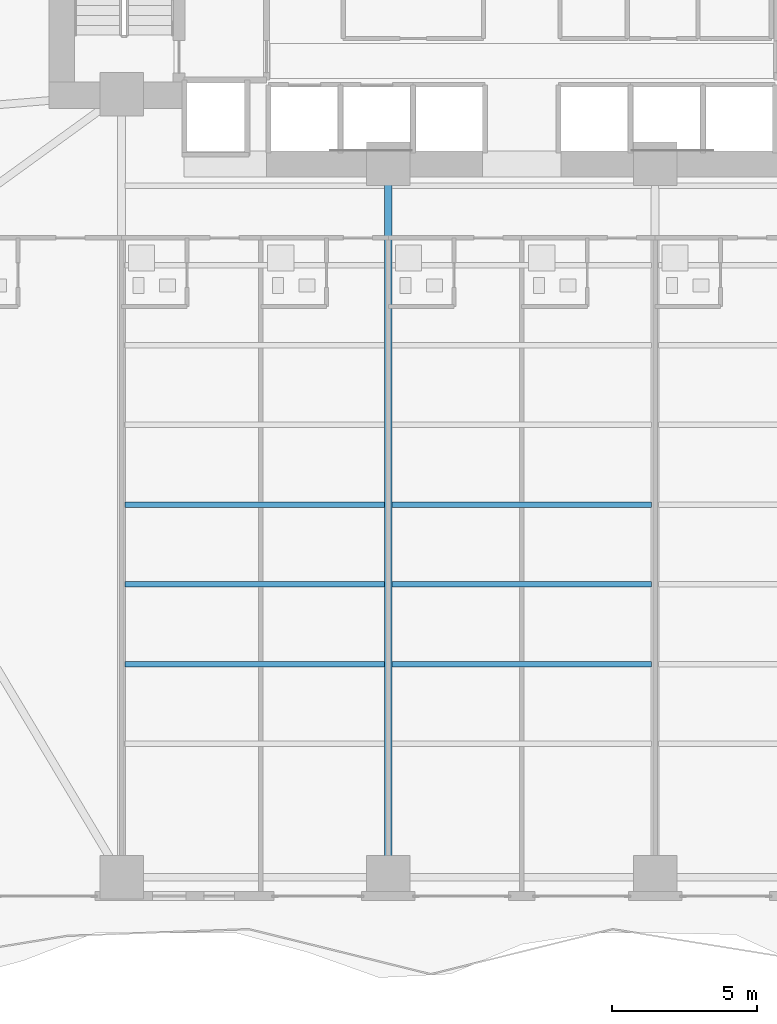
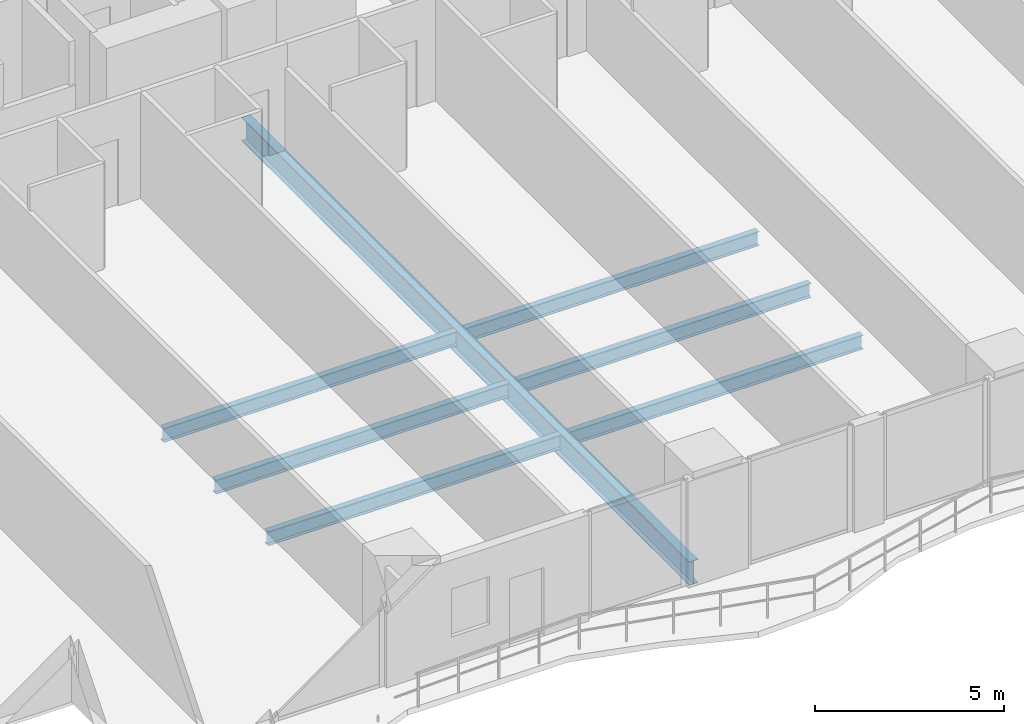
# One storey, part 5 of 29: 7 beams.
"""IFC4 building model written with IfcOpenShell, lengths in metres."""

from ifc_helpers import new_model, si_unit, direction, frame, origin, origin_2d, place, context, subcontext, project, spatial, i_section, extrude, material, material_profile, profile_set, type_object, element, save


model = new_model("IFC4")

# Units and contexts
model_context = context("Model", 3, precision=1e-05, world=origin(), true_north=direction((0.0, 1.0)))
body_context = subcontext(model_context, "Body", "Model", "MODEL_VIEW")
ifc_project = project(units=[si_unit("LENGTHUNIT", "METRE"), si_unit("AREAUNIT", "SQUARE_METRE"), si_unit("VOLUMEUNIT", "CUBIC_METRE"), si_unit("PLANEANGLEUNIT", "RADIAN"), si_unit("MASSUNIT", "GRAM", prefix="KILO")], contexts=[model_context])

# Site, building, storey
site_placement = place(None, origin())
site = spatial("IfcSite", under=ifc_project, at=site_placement, CompositionType="ELEMENT")
building_placement = place(site_placement, origin())
building = spatial("IfcBuilding", under=site, at=building_placement, Name="Zuhayl Quay Hotel", CompositionType="ELEMENT")
storey_placement = place(building_placement, frame((0.0, 0.0, 67.75)))
storey = spatial("IfcBuildingStorey", under=building, at=storey_placement, Name="L16", CompositionType="ELEMENT", Elevation=67.75)

# Beams
ifc_material = material(Name="Steel ASTM A992 Grade 50", Category="steel")
ifc_material_profile_1 = material_profile(ifc_material, i_section(OverallWidth=0.26708984375, OverallDepth=0.761962890625, WebThickness=0.014404296875, FlangeThickness=0.021484375, at=origin_2d()), Name="W30X116")
ifc_profile_set_1 = profile_set([ifc_material_profile_1], Name="Steel ASTM A992 Grade 50")
beam_type_1 = type_object("IfcBeamType", Name="BM_B1_W30X116", PredefinedType="BEAM", material=ifc_profile_set_1)
beam_1_placement = place(storey_placement, frame((-4.60009765625, -21.949951171875, -0.60107421875), z_axis=(0.0, 1.0, 0.0), x_axis=(-1.0, 0.0, 0.0)))
element("IfcBeam", 1, at=beam_1_placement, inside=storey, type_object=beam_type_1, Name="L16 Floor Beam FG_S_L16_2", PredefinedType="BEAM", context=body_context, shape_type="SweptSolid", body=[
    extrude(i_section(OverallWidth=0.26708984375, OverallDepth=0.761962890625, WebThickness=0.014404296875, FlangeThickness=0.021484375, at=origin_2d()), origin(), (0.0, 0.0, 1.0), 23.64990234375),
])
ifc_material_profile_2 = material_profile(ifc_material, i_section(OverallWidth=0.18994140625, OverallDepth=0.45703125, WebThickness=0.009033203125, FlangeThickness=0.014404296875, at=origin_2d()), Name="W18X50")
ifc_profile_set_2 = profile_set([ifc_material_profile_2], Name="Steel ASTM A992 Grade 50")
beam_type_2 = type_object("IfcBeamType", Name="BM_J2_W18X50", PredefinedType="JOIST", material=ifc_profile_set_2)
beam_2_placement = place(storey_placement, frame((-13.674560546875, -15.10009765625, -0.448486328125), z_axis=(1.0, 0.0, 0.0), x_axis=(0.0, 1.0, 0.0)))
element("IfcBeam", 2, at=beam_2_placement, inside=storey, type_object=beam_type_2, Name="L16 Floor Beam FJ_L16_4_1", PredefinedType="JOIST", context=body_context, shape_type="SweptSolid", body=[
    extrude(i_section(OverallWidth=0.18994140625, OverallDepth=0.45703125, WebThickness=0.009033203125, FlangeThickness=0.014404296875, at=origin_2d()), origin(), (0.0, 0.0, 1.0), 8.948974609375),
])
beam_3_placement = place(storey_placement, frame((-4.474609375, -15.10009765625, -0.448486328125), z_axis=(1.0, 0.0, 0.0), x_axis=(0.0, 1.0, 0.0)))
element("IfcBeam", 3, at=beam_3_placement, inside=storey, type_object=beam_type_2, Name="L16 Floor Beam FJ_L16_4_2", PredefinedType="JOIST", context=body_context, shape_type="SweptSolid", body=[
    extrude(i_section(OverallWidth=0.18994140625, OverallDepth=0.45703125, WebThickness=0.009033203125, FlangeThickness=0.014404296875, at=origin_2d()), origin(), (0.0, 0.0, 1.0), 8.94921875),
])
beam_4_placement = place(storey_placement, frame((-13.674560546875, -12.35009765625, -0.448486328125), z_axis=(1.0, 0.0, 0.0), x_axis=(0.0, 1.0, 0.0)))
element("IfcBeam", 4, at=beam_4_placement, inside=storey, type_object=beam_type_2, Name="L16 Floor Beam FJ_L16_5_1", PredefinedType="JOIST", context=body_context, shape_type="SweptSolid", body=[
    extrude(i_section(OverallWidth=0.18994140625, OverallDepth=0.45703125, WebThickness=0.009033203125, FlangeThickness=0.014404296875, at=origin_2d()), origin(), (0.0, 0.0, 1.0), 8.948974609375),
])
beam_5_placement = place(storey_placement, frame((-4.474609375, -12.35009765625, -0.448486328125), z_axis=(1.0, 0.0, 0.0), x_axis=(0.0, 1.0, 0.0)))
element("IfcBeam", 5, at=beam_5_placement, inside=storey, type_object=beam_type_2, Name="L16 Floor Beam FJ_L16_5_2", PredefinedType="JOIST", context=body_context, shape_type="SweptSolid", body=[
    extrude(i_section(OverallWidth=0.18994140625, OverallDepth=0.45703125, WebThickness=0.009033203125, FlangeThickness=0.014404296875, at=origin_2d()), origin(), (0.0, 0.0, 1.0), 8.94921875),
])
beam_6_placement = place(storey_placement, frame((-13.674560546875, -9.60009765625, -0.448486328125), z_axis=(1.0, 0.0, 0.0), x_axis=(0.0, 1.0, 0.0)))
element("IfcBeam", 6, at=beam_6_placement, inside=storey, type_object=beam_type_2, Name="L16 Floor Beam FJ_L16_6_1", PredefinedType="JOIST", context=body_context, shape_type="SweptSolid", body=[
    extrude(i_section(OverallWidth=0.18994140625, OverallDepth=0.45703125, WebThickness=0.009033203125, FlangeThickness=0.014404296875, at=origin_2d()), origin(), (0.0, 0.0, 1.0), 8.948974609375),
])
beam_7_placement = place(storey_placement, frame((-4.474609375, -9.60009765625, -0.448486328125), z_axis=(1.0, 0.0, 0.0), x_axis=(0.0, 1.0, 0.0)))
element("IfcBeam", 7, at=beam_7_placement, inside=storey, type_object=beam_type_2, Name="L16 Floor Beam FJ_L16_6_2", PredefinedType="JOIST", context=body_context, shape_type="SweptSolid", body=[
    extrude(i_section(OverallWidth=0.18994140625, OverallDepth=0.45703125, WebThickness=0.009033203125, FlangeThickness=0.014404296875, at=origin_2d()), origin(), (0.0, 0.0, 1.0), 8.94921875),
])

save(model, "model.ifc")
